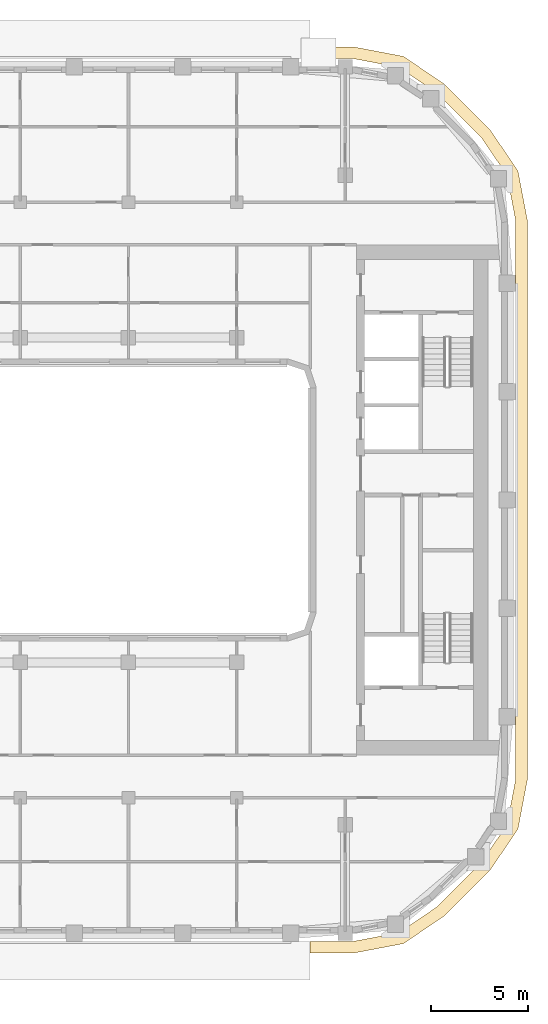
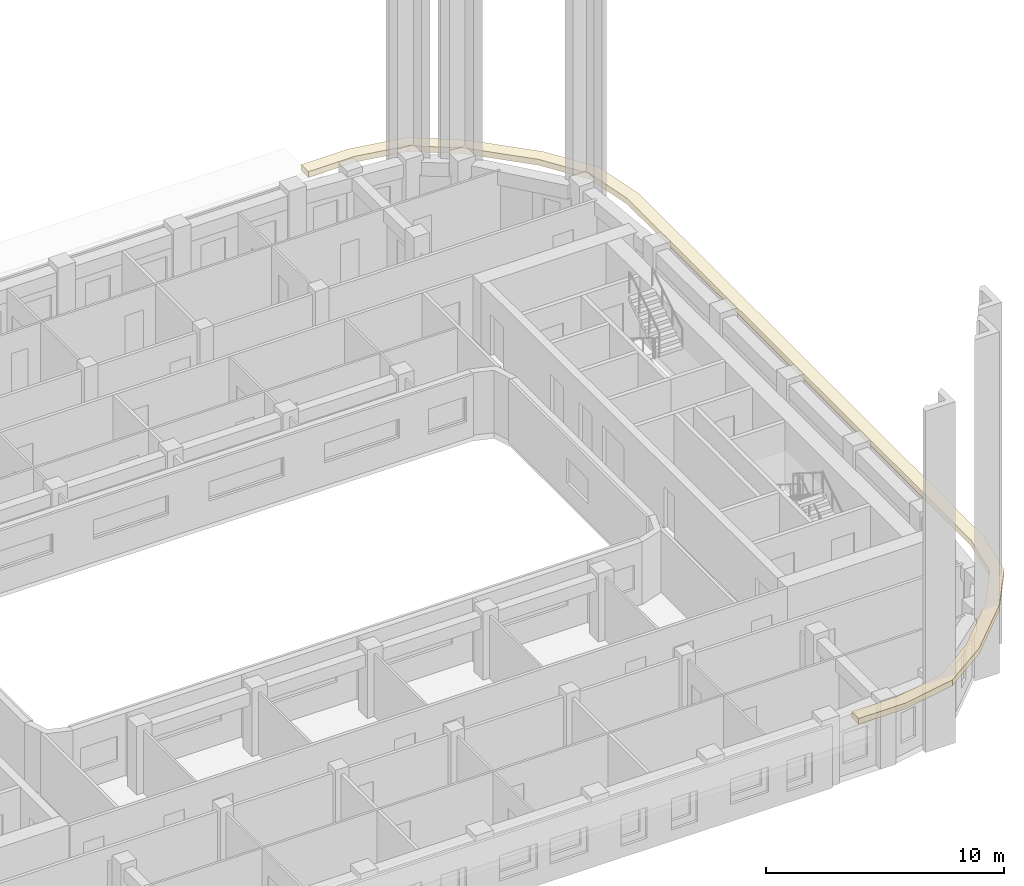
# One storey, part 17 of 21: 1 covering.
"""IFC4 building model written with IfcOpenShell, lengths in metres."""

from ifc_helpers import new_model, si_unit, direction, frame, origin, place, context, subcontext, project, spatial, polyline, outline, extrude, material, layer, layer_set, type_object, element, save


model = new_model("IFC4")

# Units and contexts
model_context = context("Model", 3, precision=1e-05, world=origin(), true_north=direction((0.0, 1.0)))
body_context = subcontext(model_context, "Body", "Model", "MODEL_VIEW")
ifc_project = project(units=[si_unit("LENGTHUNIT", "METRE"), si_unit("AREAUNIT", "SQUARE_METRE"), si_unit("VOLUMEUNIT", "CUBIC_METRE"), si_unit("PLANEANGLEUNIT", "RADIAN"), si_unit("MASSUNIT", "GRAM", prefix="KILO")], contexts=[model_context])

# Site, building, storey
site_placement = place(None, origin())
site = spatial("IfcSite", under=ifc_project, at=site_placement, CompositionType="ELEMENT")
building_placement = place(site_placement, origin())
building = spatial("IfcBuilding", under=site, at=building_placement, Name="Kiln Ring Residences", CompositionType="ELEMENT")
storey_placement = place(building_placement, frame((0.0, 0.0, 213.39990234375)))
storey = spatial("IfcBuildingStorey", under=building, at=storey_placement, Name="L55", CompositionType="ELEMENT", Elevation=213.39990234375)

# Covering
ifc_material = material(Name="Black powder-coated steel", Category="steel")
ifc_layer = layer(ifc_material, 0.300048828125)
ifc_layer_set = layer_set([ifc_layer], Name="SUNSHADE FIN 600")
covering_type = type_object("IfcCoveringType", Name="SUNSHADE FIN 600", PredefinedType="CLADDING", material=ifc_layer_set)
covering_placement = place(storey_placement, frame((0.0, 0.0, 3.2001953125)))
element("IfcCovering", 1, at=covering_placement, inside=storey, type_object=covering_type, Name="SUNSHADE FIN L55", PredefinedType="CLADDING", context=body_context, shape_type="SweptSolid", body=[
    extrude(outline(polyline([(17.296875, 23.425048828125), (15.0, 23.425048828125), (15.0, 22.824951171875), (17.240234375, 22.824951171875), (19.59033203125, 22.376708984375), (21.569091796875, 21.031982421875), (23.831787109375, 18.769287109375), (25.1767578125, 16.790283203125), (25.625, 14.440185546875), (25.625, -14.440185546875), (25.1767578125, -16.790283203125), (23.831787109375, -18.769287109375), (21.569091796875, -21.031982421875), (19.59033203125, -22.376708984375), (17.240234375, -22.824951171875), (15.0, -22.824951171875), (15.0, -23.425048828125), (17.296875, -23.425048828125), (19.82470703125, -22.94287109375), (21.953369140625, -21.49609375), (24.296142578125, -19.1533203125), (25.742919921875, -17.02490234375), (26.22509765625, -14.496826171875), (26.22509765625, 14.496826171875), (25.742919921875, 17.02490234375), (24.296142578125, 19.1533203125), (21.953369140625, 21.49609375), (19.82470703125, 22.94287109375), (17.296875, 23.425048828125)])), origin(), (0.0, 0.0, 1.0), 0.2998046875),
])

save(model, "model.ifc")
